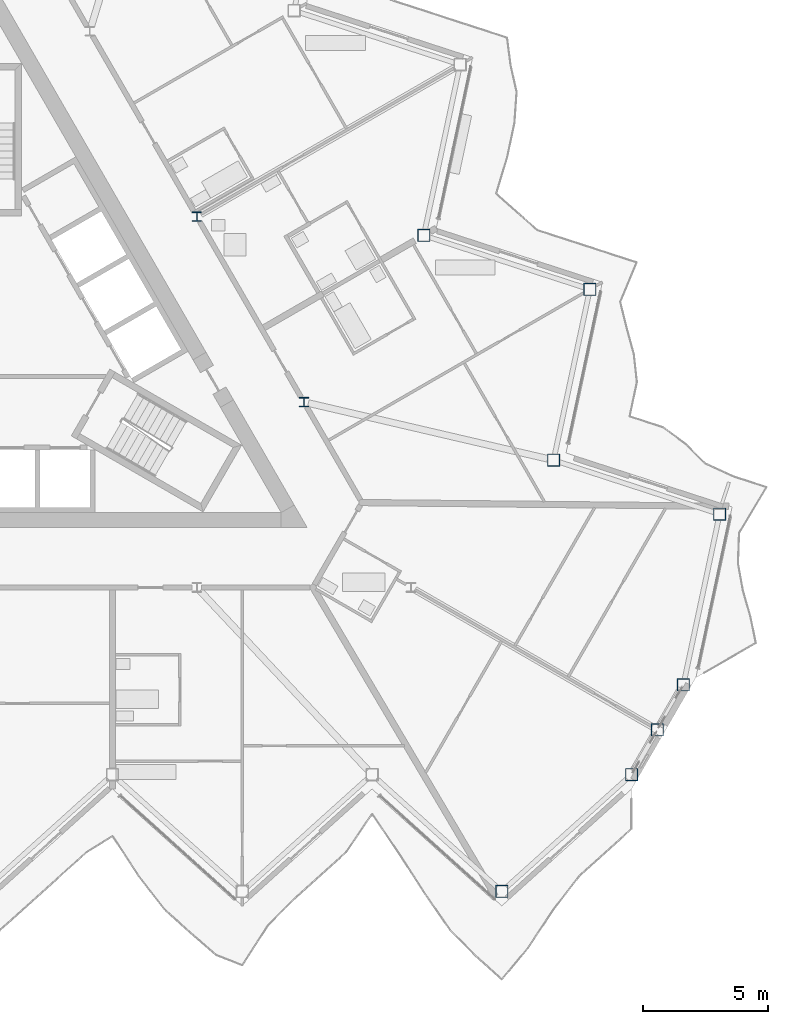
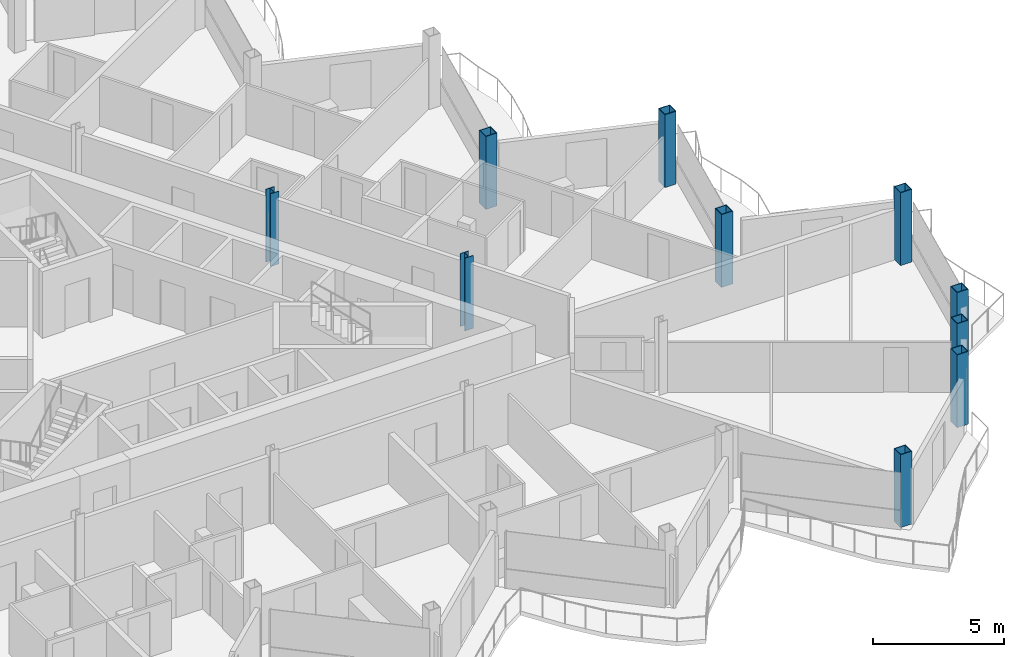
# One storey, part 2 of 26: 10 columns.
"""IFC4 building model written with IfcOpenShell, lengths in metres."""

from ifc_helpers import new_model, si_unit, direction, frame, origin, origin_2d, place, context, subcontext, project, spatial, hollow_rectangle, i_section, extrude, material, material_profile, profile_set, type_object, element, save


model = new_model("IFC4")

# Units and contexts
model_context = context("Model", 3, precision=1e-05, world=origin(), true_north=direction((0.0, 1.0)))
body_context = subcontext(model_context, "Body", "Model", "MODEL_VIEW")
ifc_project = project(units=[si_unit("LENGTHUNIT", "METRE"), si_unit("AREAUNIT", "SQUARE_METRE"), si_unit("VOLUMEUNIT", "CUBIC_METRE"), si_unit("PLANEANGLEUNIT", "RADIAN"), si_unit("MASSUNIT", "GRAM", prefix="KILO")], contexts=[model_context])

# Site, building, storey
site_placement = place(None, origin())
site = spatial("IfcSite", under=ifc_project, at=site_placement, CompositionType="ELEMENT")
building_placement = place(site_placement, origin())
building = spatial("IfcBuilding", under=site, at=building_placement, Name="Cormorant Prow Tower", CompositionType="ELEMENT")
storey_placement = place(building_placement, frame((0.0, 0.0, 378.0)))
storey = spatial("IfcBuildingStorey", under=building, at=storey_placement, Name="L85", CompositionType="ELEMENT", Elevation=378.0)

# Columns
ifc_material_1 = material(Name="Structural steel ASTM A572 Gr 50", Category="steel")
ifc_material_profile_1 = material_profile(ifc_material_1, hollow_rectangle(XDim=0.5, YDim=0.5, WallThickness=0.030029296875, at=origin_2d()), Name="Box 500x500x30")
ifc_profile_set_1 = profile_set([ifc_material_profile_1], Name="Structural steel ASTM A572 Gr 50")
column_type_1 = type_object("IfcColumnType", Name="Perimeter box column 500x500x30", PredefinedType="COLUMN", material=ifc_profile_set_1)
for number, where, z_axis, x_axis, name in (
    (1, (20.800048828125, -22.087890625, 0.0), (0.0, 0.0, 1.0), (1.0, 0.0, 0.0), "Perimeter column C7 at S09 L85"),
    (2, (26.0, -17.40576171875, 0.0), (0.0, 0.0, 1.0), (1.0, 0.0, 0.0), "Perimeter column C7 at ESE00 L85"),
    (3, (27.036865234375, -15.60986328125, 0.0), (0.0, 0.0, 1.0), (1.0, 0.0, 0.0), "Perimeter column C7 at ESE01 L85"),
    (4, (28.07373046875, -13.813720703125, 0.0), (0.0, 0.0, 1.0), (1.0, 0.0, 0.0), "Perimeter column C7 at ENE00 L85"),
    (5, (29.528564453125, -6.969482421875, 0.0), (0.0, 0.0, 1.0), (1.0, 0.0, 0.0), "Perimeter column C7 at ENE01 L85"),
    (6, (22.873779296875, -4.80712890625, 0.0), (0.0, 0.0, 1.0), (1.0, 0.0, 0.0), "Perimeter column C7 at ENE02 L85"),
    (7, (24.32861328125, 2.037353515625, 0.0), (0.0, 0.0, 1.0), (1.0, 0.0, 0.0), "Perimeter column C7 at ENE03 L85"),
    (8, (17.673828125, 4.199462890625, 0.0), (0.0, 0.0, 1.0), (1.0, 0.0, 0.0), "Perimeter column C7 at ENE04 L85"),
):
    element("IfcColumn", number, at=place(storey_placement, frame(where, z_axis=z_axis, x_axis=x_axis)), inside=storey, type_object=column_type_1, Name=name, PredefinedType="COLUMN", context=body_context, shape_type="SweptSolid", body=[
        extrude(hollow_rectangle(XDim=0.5, YDim=0.5, WallThickness=0.030029296875, at=origin_2d()), origin(), (0.0, 0.0, 1.0), 3.39990234375),
    ])
ifc_material_2 = material(Name="Structural steel ASTM A992 Gr 50", Category="steel")
ifc_material_profile_2 = material_profile(ifc_material_2, i_section(OverallWidth=0.3740234375, OverallDepth=0.372314453125, WebThickness=0.016357421875, FlangeThickness=0.026123046875, at=origin_2d()), Name="W14x132")
ifc_profile_set_2 = profile_set([ifc_material_profile_2], Name="Structural steel ASTM A992 Gr 50")
column_type_2 = type_object("IfcColumnType", Name="Ring column W14x132", PredefinedType="COLUMN", material=ifc_profile_set_2)
for number, where, z_axis, x_axis, name in (
    (9, (12.86767578125, -2.476318359375, 0.0), (0.0, 0.0, 1.0), (1.0, 0.0, 0.0), "Ring column 10 L85"),
    (10, (8.578369140625, 4.952880859375, 0.0), (0.0, 0.0, 1.0), (1.0, 0.0, 0.0), "Ring column 11 L85"),
):
    element("IfcColumn", number, at=place(storey_placement, frame(where, z_axis=z_axis, x_axis=x_axis)), inside=storey, type_object=column_type_2, Name=name, PredefinedType="COLUMN", context=body_context, shape_type="SweptSolid", body=[
        extrude(i_section(OverallWidth=0.3740234375, OverallDepth=0.372314453125, WebThickness=0.016357421875, FlangeThickness=0.026123046875, at=origin_2d()), origin(), (0.0, 0.0, 1.0), 3.39990234375),
    ])

save(model, "model.ifc")
